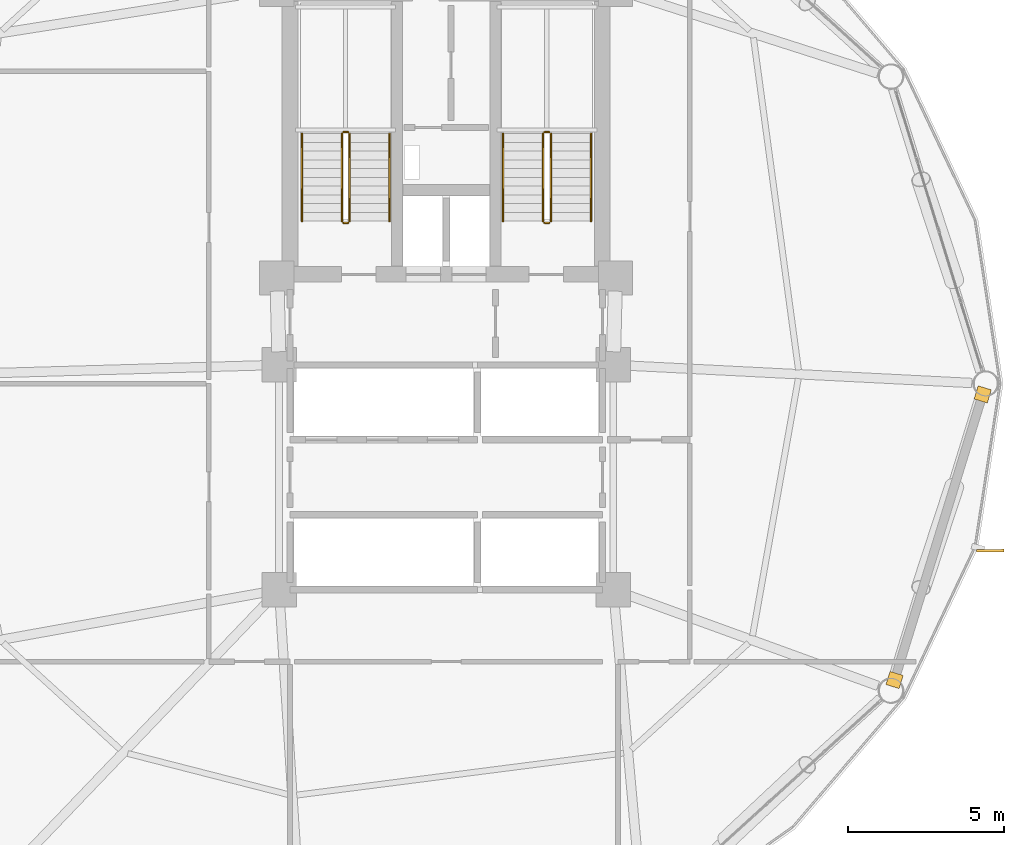
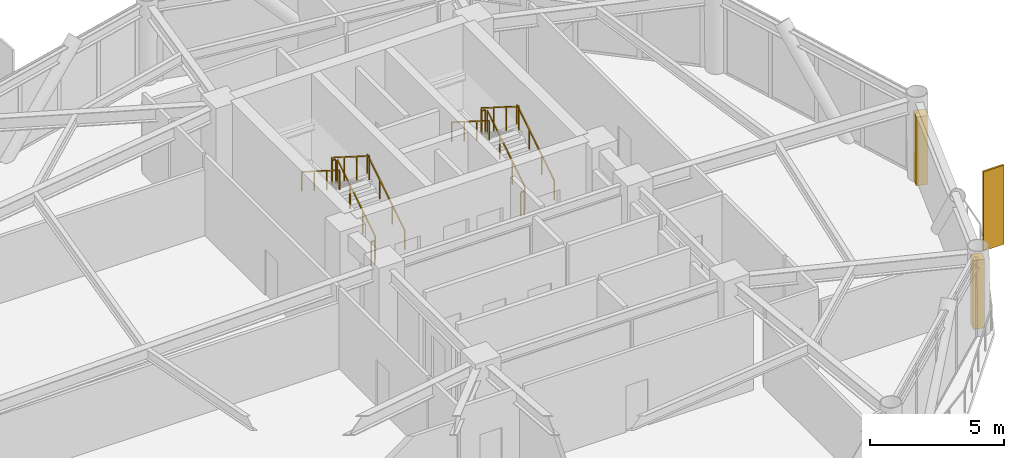
# One storey, part 24 of 25: 12 railings, 2 coverings, 1 shading device.
"""IFC4 building model written with IfcOpenShell, lengths in metres."""

from ifc_helpers import new_model, si_unit, direction, frame, origin, origin_2d, place, context, subcontext, project, spatial, rectangle, extrude, source, transform, mapped, material, layer, layer_set, type_object, type_shapes, element, save


model = new_model("IFC4")

# Units and contexts
model_context = context("Model", 3, precision=1e-05, world=origin(), true_north=direction((0.0, 1.0)))
body_context = subcontext(model_context, "Body", "Model", "MODEL_VIEW")
ifc_project = project(units=[si_unit("LENGTHUNIT", "METRE"), si_unit("AREAUNIT", "SQUARE_METRE"), si_unit("VOLUMEUNIT", "CUBIC_METRE"), si_unit("PLANEANGLEUNIT", "RADIAN"), si_unit("MASSUNIT", "GRAM", prefix="KILO")], contexts=[model_context])

# Site, building, storey
site_placement = place(None, origin())
site = spatial("IfcSite", under=ifc_project, at=site_placement, CompositionType="ELEMENT")
building_placement = place(site_placement, origin())
building = spatial("IfcBuilding", under=site, at=building_placement, Name="Varnakorn Sky Granary", CompositionType="ELEMENT")
storey_placement = place(building_placement, frame((0.0, 0.0, 91.5)))
storey = spatial("IfcBuildingStorey", under=building, at=storey_placement, Name="L22", CompositionType="ELEMENT", Elevation=91.5)

# Railings
ifc_material_1 = material(Name="Brushed Stainless Steel 316", Category="steel")
railing_type_1 = type_object("IfcRailingType", Name="RL-STAIR-1100", PredefinedType="GUARDRAIL", material=ifc_material_1)
railing_1_placement = place(storey_placement, frame((-0.090087890625, 5.199951171875, 0.17724609375)))
element("IfcRailing", 1, at=railing_1_placement, inside=storey, type_object=railing_type_1, Name="L22 ST-1 stair guard 1", PredefinedType="GUARDRAIL", context=body_context, shape_type="SweptSolid", body=[
    extrude(rectangle(XDim=0.048095703125, YDim=0.048095703125, at=origin_2d()), frame((0.0, 0.0, 1.076171875), z_axis=(0.0, 0.844908973607, 0.534910110503), x_axis=(-1.0, 0.0, 0.0)), (0.0, 0.0, 1.0), 3.31396484375),
    extrude(rectangle(XDim=0.0419921875, YDim=0.0419921875, at=origin_2d()), origin(), (0.0, 0.0, 1.0), 1.048095703125),
    extrude(rectangle(XDim=0.0419921875, YDim=0.0419921875, at=origin_2d()), frame((0.0, 0.933349609375, 0.5908203125)), (0.0, 0.0, 1.0), 1.048095703125),
    extrude(rectangle(XDim=0.0419921875, YDim=0.0419921875, at=origin_2d()), frame((0.0, 1.86669921875, 1.181884765625)), (0.0, 0.0, 1.0), 1.048095703125),
    extrude(rectangle(XDim=0.0419921875, YDim=0.0419921875, at=origin_2d()), frame((0.0, 2.800048828125, 1.772705078125)), (0.0, 0.0, 1.0), 1.048095703125),
])
railing_2_placement = place(storey_placement, frame((-0.139892578125, 8.050048828125, 1.949951171875)))
element("IfcRailing", 2, at=railing_2_placement, inside=storey, type_object=railing_type_1, Name="L22 ST-1 stair guard 2", PredefinedType="GUARDRAIL", context=body_context, shape_type="SweptSolid", body=[
    extrude(rectangle(XDim=0.048095703125, YDim=0.048095703125, at=origin_2d()), frame((0.0, 0.0, 1.076171875), z_axis=(-1.0, 0.0, 0.0), x_axis=(0.0, -1.0, 0.0)), (0.0, 0.0, 1.0), 0.150146484375),
    extrude(rectangle(XDim=0.0419921875, YDim=0.0419921875, at=origin_2d()), origin(), (0.0, 0.0, 1.0), 1.048095703125),
    extrude(rectangle(XDim=0.0419921875, YDim=0.0419921875, at=origin_2d()), frame((-0.150146484375, 0.0, 0.0)), (0.0, 0.0, 1.0), 1.048095703125),
])
railing_3_placement = place(storey_placement, frame((-0.340087890625, 8.0, 2.127197265625)))
element("IfcRailing", 3, at=railing_3_placement, inside=storey, type_object=railing_type_1, Name="L22 ST-1 stair guard 3", PredefinedType="GUARDRAIL", context=body_context, shape_type="SweptSolid", body=[
    extrude(rectangle(XDim=0.048095703125, YDim=0.048095703125, at=origin_2d()), frame((0.0, 0.0, 1.076171875), z_axis=(0.0, -0.844908973607, 0.534910110503), x_axis=(1.0, 0.0, 0.0)), (0.0, 0.0, 1.0), 3.31396484375),
    extrude(rectangle(XDim=0.0419921875, YDim=0.0419921875, at=origin_2d()), origin(), (0.0, 0.0, 1.0), 1.048095703125),
    extrude(rectangle(XDim=0.0419921875, YDim=0.0419921875, at=origin_2d()), frame((0.0, -0.933349609375, 0.5908203125)), (0.0, 0.0, 1.0), 1.048095703125),
    extrude(rectangle(XDim=0.0419921875, YDim=0.0419921875, at=origin_2d()), frame((0.0, -1.86669921875, 1.181884765625)), (0.0, 0.0, 1.0), 1.048095703125),
    extrude(rectangle(XDim=0.0419921875, YDim=0.0419921875, at=origin_2d()), frame((0.0, -2.800048828125, 1.772705078125)), (0.0, 0.0, 1.0), 1.048095703125),
])
railing_4_placement = place(storey_placement, frame((-0.139892578125, 5.14990234375, 0.0)))
element("IfcRailing", 4, at=railing_4_placement, inside=storey, type_object=railing_type_1, Name="L22 ST-1 stair guard 4", PredefinedType="GUARDRAIL", context=body_context, shape_type="SweptSolid", body=[
    extrude(rectangle(XDim=0.048095703125, YDim=0.048095703125, at=origin_2d()), frame((0.0, 0.0, 1.076171875), z_axis=(-1.0, 0.0, 0.0), x_axis=(0.0, -1.0, 0.0)), (0.0, 0.0, 1.0), 0.150146484375),
    extrude(rectangle(XDim=0.0419921875, YDim=0.0419921875, at=origin_2d()), origin(), (0.0, 0.0, 1.0), 1.048095703125),
    extrude(rectangle(XDim=0.0419921875, YDim=0.0419921875, at=origin_2d()), frame((-0.150146484375, 0.0, 0.0)), (0.0, 0.0, 1.0), 1.048095703125),
])
railing_5_placement = place(storey_placement, frame((6.35009765625, 5.199951171875, 0.17724609375)))
element("IfcRailing", 5, at=railing_5_placement, inside=storey, type_object=railing_type_1, Name="L22 ST-2 stair guard 1", PredefinedType="GUARDRAIL", context=body_context, shape_type="SweptSolid", body=[
    extrude(rectangle(XDim=0.048095703125, YDim=0.048095703125, at=origin_2d()), frame((0.0, 0.0, 1.076171875), z_axis=(0.0, 0.844908973607, 0.534910110503), x_axis=(-1.0, 0.0, 0.0)), (0.0, 0.0, 1.0), 3.31396484375),
    extrude(rectangle(XDim=0.0419921875, YDim=0.0419921875, at=origin_2d()), origin(), (0.0, 0.0, 1.0), 1.048095703125),
    extrude(rectangle(XDim=0.0419921875, YDim=0.0419921875, at=origin_2d()), frame((0.0, 0.933349609375, 0.5908203125)), (0.0, 0.0, 1.0), 1.048095703125),
    extrude(rectangle(XDim=0.0419921875, YDim=0.0419921875, at=origin_2d()), frame((0.0, 1.86669921875, 1.181884765625)), (0.0, 0.0, 1.0), 1.048095703125),
    extrude(rectangle(XDim=0.0419921875, YDim=0.0419921875, at=origin_2d()), frame((0.0, 2.800048828125, 1.772705078125)), (0.0, 0.0, 1.0), 1.048095703125),
])
railing_6_placement = place(storey_placement, frame((6.300048828125, 8.050048828125, 1.949951171875)))
element("IfcRailing", 6, at=railing_6_placement, inside=storey, type_object=railing_type_1, Name="L22 ST-2 stair guard 2", PredefinedType="GUARDRAIL", context=body_context, shape_type="SweptSolid", body=[
    extrude(rectangle(XDim=0.048095703125, YDim=0.048095703125, at=origin_2d()), frame((0.0, 0.0, 1.076171875), z_axis=(-1.0, 0.0, 0.0), x_axis=(0.0, -1.0, 0.0)), (0.0, 0.0, 1.0), 0.150146484375),
    extrude(rectangle(XDim=0.0419921875, YDim=0.0419921875, at=origin_2d()), origin(), (0.0, 0.0, 1.0), 1.048095703125),
    extrude(rectangle(XDim=0.0419921875, YDim=0.0419921875, at=origin_2d()), frame((-0.150146484375, 0.0, 0.0)), (0.0, 0.0, 1.0), 1.048095703125),
])
railing_7_placement = place(storey_placement, frame((6.10009765625, 8.0, 2.127197265625)))
element("IfcRailing", 7, at=railing_7_placement, inside=storey, type_object=railing_type_1, Name="L22 ST-2 stair guard 3", PredefinedType="GUARDRAIL", context=body_context, shape_type="SweptSolid", body=[
    extrude(rectangle(XDim=0.048095703125, YDim=0.048095703125, at=origin_2d()), frame((0.0, 0.0, 1.076171875), z_axis=(0.0, -0.844908973607, 0.534910110503), x_axis=(1.0, 0.0, 0.0)), (0.0, 0.0, 1.0), 3.31396484375),
    extrude(rectangle(XDim=0.0419921875, YDim=0.0419921875, at=origin_2d()), origin(), (0.0, 0.0, 1.0), 1.048095703125),
    extrude(rectangle(XDim=0.0419921875, YDim=0.0419921875, at=origin_2d()), frame((0.0, -0.933349609375, 0.5908203125)), (0.0, 0.0, 1.0), 1.048095703125),
    extrude(rectangle(XDim=0.0419921875, YDim=0.0419921875, at=origin_2d()), frame((0.0, -1.86669921875, 1.181884765625)), (0.0, 0.0, 1.0), 1.048095703125),
    extrude(rectangle(XDim=0.0419921875, YDim=0.0419921875, at=origin_2d()), frame((0.0, -2.800048828125, 1.772705078125)), (0.0, 0.0, 1.0), 1.048095703125),
])
railing_8_placement = place(storey_placement, frame((6.300048828125, 5.14990234375, 0.0)))
element("IfcRailing", 8, at=railing_8_placement, inside=storey, type_object=railing_type_1, Name="L22 ST-2 stair guard 4", PredefinedType="GUARDRAIL", context=body_context, shape_type="SweptSolid", body=[
    extrude(rectangle(XDim=0.048095703125, YDim=0.048095703125, at=origin_2d()), frame((0.0, 0.0, 1.076171875), z_axis=(-1.0, 0.0, 0.0), x_axis=(0.0, -1.0, 0.0)), (0.0, 0.0, 1.0), 0.150146484375),
    extrude(rectangle(XDim=0.0419921875, YDim=0.0419921875, at=origin_2d()), origin(), (0.0, 0.0, 1.0), 1.048095703125),
    extrude(rectangle(XDim=0.0419921875, YDim=0.0419921875, at=origin_2d()), frame((-0.150146484375, 0.0, 0.0)), (0.0, 0.0, 1.0), 1.048095703125),
])
railing_type_2 = type_object("IfcRailingType", Name="RL-STAIR-920", PredefinedType="HANDRAIL", material=ifc_material_1)
railing_9_placement = place(storey_placement, frame((1.18994140625, 5.199951171875, 0.17724609375)))
element("IfcRailing", 9, at=railing_9_placement, inside=storey, type_object=railing_type_2, Name="L22 ST-1 stair handrail 1", PredefinedType="HANDRAIL", context=body_context, shape_type="SweptSolid", body=[
    extrude(rectangle(XDim=0.048095703125, YDim=0.048095703125, at=origin_2d()), frame((0.0, 0.0, 0.8759765625), z_axis=(0.0, 0.844908973607, 0.534910110503), x_axis=(-1.0, 0.0, 0.0)), (0.0, 0.0, 1.0), 3.31396484375),
    extrude(rectangle(XDim=0.0419921875, YDim=0.0419921875, at=origin_2d()), origin(), (0.0, 0.0, 1.0), 0.847900390625),
    extrude(rectangle(XDim=0.0419921875, YDim=0.0419921875, at=origin_2d()), frame((0.0, 0.933349609375, 0.5908203125)), (0.0, 0.0, 1.0), 0.847900390625),
    extrude(rectangle(XDim=0.0419921875, YDim=0.0419921875, at=origin_2d()), frame((0.0, 1.86669921875, 1.181884765625)), (0.0, 0.0, 1.0), 0.847900390625),
    extrude(rectangle(XDim=0.0419921875, YDim=0.0419921875, at=origin_2d()), frame((0.0, 2.800048828125, 1.772705078125)), (0.0, 0.0, 1.0), 0.847900390625),
])
railing_10_placement = place(storey_placement, frame((-1.6201171875, 8.0, 2.127197265625)))
element("IfcRailing", 10, at=railing_10_placement, inside=storey, type_object=railing_type_2, Name="L22 ST-1 stair handrail 2", PredefinedType="HANDRAIL", context=body_context, shape_type="SweptSolid", body=[
    extrude(rectangle(XDim=0.048095703125, YDim=0.048095703125, at=origin_2d()), frame((0.0, 0.0, 0.8759765625), z_axis=(0.0, -0.844908973607, 0.534910110503), x_axis=(1.0, 0.0, 0.0)), (0.0, 0.0, 1.0), 3.31396484375),
    extrude(rectangle(XDim=0.0419921875, YDim=0.0419921875, at=origin_2d()), origin(), (0.0, 0.0, 1.0), 0.847900390625),
    extrude(rectangle(XDim=0.0419921875, YDim=0.0419921875, at=origin_2d()), frame((0.0, -0.933349609375, 0.5908203125)), (0.0, 0.0, 1.0), 0.847900390625),
    extrude(rectangle(XDim=0.0419921875, YDim=0.0419921875, at=origin_2d()), frame((0.0, -1.86669921875, 1.181884765625)), (0.0, 0.0, 1.0), 0.847900390625),
    extrude(rectangle(XDim=0.0419921875, YDim=0.0419921875, at=origin_2d()), frame((0.0, -2.800048828125, 1.772705078125)), (0.0, 0.0, 1.0), 0.847900390625),
])
railing_11_placement = place(storey_placement, frame((7.6298828125, 5.199951171875, 0.17724609375)))
element("IfcRailing", 11, at=railing_11_placement, inside=storey, type_object=railing_type_2, Name="L22 ST-2 stair handrail 1", PredefinedType="HANDRAIL", context=body_context, shape_type="SweptSolid", body=[
    extrude(rectangle(XDim=0.048095703125, YDim=0.048095703125, at=origin_2d()), frame((0.0, 0.0, 0.8759765625), z_axis=(0.0, 0.844908973607, 0.534910110503), x_axis=(-1.0, 0.0, 0.0)), (0.0, 0.0, 1.0), 3.31396484375),
    extrude(rectangle(XDim=0.0419921875, YDim=0.0419921875, at=origin_2d()), origin(), (0.0, 0.0, 1.0), 0.847900390625),
    extrude(rectangle(XDim=0.0419921875, YDim=0.0419921875, at=origin_2d()), frame((0.0, 0.933349609375, 0.5908203125)), (0.0, 0.0, 1.0), 0.847900390625),
    extrude(rectangle(XDim=0.0419921875, YDim=0.0419921875, at=origin_2d()), frame((0.0, 1.86669921875, 1.181884765625)), (0.0, 0.0, 1.0), 0.847900390625),
    extrude(rectangle(XDim=0.0419921875, YDim=0.0419921875, at=origin_2d()), frame((0.0, 2.800048828125, 1.772705078125)), (0.0, 0.0, 1.0), 0.847900390625),
])
railing_12_placement = place(storey_placement, frame((4.820068359375, 8.0, 2.127197265625)))
element("IfcRailing", 12, at=railing_12_placement, inside=storey, type_object=railing_type_2, Name="L22 ST-2 stair handrail 2", PredefinedType="HANDRAIL", context=body_context, shape_type="SweptSolid", body=[
    extrude(rectangle(XDim=0.048095703125, YDim=0.048095703125, at=origin_2d()), frame((0.0, 0.0, 0.8759765625), z_axis=(0.0, -0.844908973607, 0.534910110503), x_axis=(1.0, 0.0, 0.0)), (0.0, 0.0, 1.0), 3.31396484375),
    extrude(rectangle(XDim=0.0419921875, YDim=0.0419921875, at=origin_2d()), origin(), (0.0, 0.0, 1.0), 0.847900390625),
    extrude(rectangle(XDim=0.0419921875, YDim=0.0419921875, at=origin_2d()), frame((0.0, -0.933349609375, 0.5908203125)), (0.0, 0.0, 1.0), 0.847900390625),
    extrude(rectangle(XDim=0.0419921875, YDim=0.0419921875, at=origin_2d()), frame((0.0, -1.86669921875, 1.181884765625)), (0.0, 0.0, 1.0), 0.847900390625),
    extrude(rectangle(XDim=0.0419921875, YDim=0.0419921875, at=origin_2d()), frame((0.0, -2.800048828125, 1.772705078125)), (0.0, 0.0, 1.0), 0.847900390625),
])

# Shading device
ifc_material_2 = material(Name="Anodised Bronze Aluminium Alloy 6063-T6", Category="aluminium")
shading_device_type = type_object("IfcShadingDeviceType", Name="SH-FIN-01", PredefinedType="USERDEFINED", material=ifc_material_2)
shared_shape_1 = source(origin(), body_context, "Body", "SweptSolid", [
    extrude(rectangle(XDim=0.0849609375, YDim=0.8798828125, at=origin_2d()), origin(), (0.0, 0.0, 1.0), 3.60009765625),
])
type_shapes(shading_device_type, [shared_shape_1])
shading_device_placement = place(storey_placement, frame((20.417724609375, -5.34814453125, -0.0400390625), z_axis=(0.0, 0.0, 1.0), x_axis=(-0.008539164823, 0.999963540667, 0.0)))
element("IfcShadingDevice", 13, at=shading_device_placement, inside=storey, type_object=shading_device_type, Name="Bronze Solar-Tracking Vertical Blade FIN L22-12", ObjectType="FIN", PredefinedType="USERDEFINED", context=body_context, shape_type="MappedRepresentation", body=[
    mapped(shared_shape_1, transform((0.0, 0.0, 0.0), x_axis=(1.0, 0.0, 0.0), y_axis=(0.0, 1.0, 0.0), z_axis=(0.0, 0.0, 1.0), scale=1.0)),
])

# Coverings
ifc_layer = layer(ifc_material_2, 0.050048828125, Name="Anodised Bronze Aluminium Alloy 6063-T6")
ifc_layer_set = layer_set([ifc_layer], Name="Anodised Bronze Aluminium Alloy 6063-T6")
covering_type = type_object("IfcCoveringType", Name="CV-CLAD-50", PredefinedType="CLADDING", material=ifc_layer_set)
shared_shape_2 = source(origin(), body_context, "Body", "SweptSolid", [
    extrude(rectangle(XDim=0.43994140625, YDim=0.43994140625, at=origin_2d()), origin(), (0.0, 0.0, 1.0), 3.1298828125),
])
type_shapes(covering_type, [shared_shape_2])
for number, where, z_axis, x_axis, name in (
    (14, (20.176513671875, -0.345458984375, -0.02001953125), (0.0, 0.0, 1.0), (-0.294874299918, -0.955536052301, 0.0), "Bronze Corner Pilaster Closure L22-P12-A"),
    (15, (17.354248046875, -9.488037109375, -0.02001953125), (0.0, 0.0, 1.0), (-0.294874299918, -0.955536052301, 0.0), "Bronze Corner Pilaster Closure L22-P12-B"),
):
    element("IfcCovering", number, at=place(storey_placement, frame(where, z_axis=z_axis, x_axis=x_axis)), inside=storey, type_object=covering_type, Name=name, PredefinedType="CLADDING", context=body_context, shape_type="MappedRepresentation", body=[
        mapped(shared_shape_2, transform((0.0, 0.0, 0.0), x_axis=(1.0, 0.0, 0.0), y_axis=(0.0, 1.0, 0.0), z_axis=(0.0, 0.0, 1.0), scale=1.0)),
    ])

save(model, "model.ifc")
